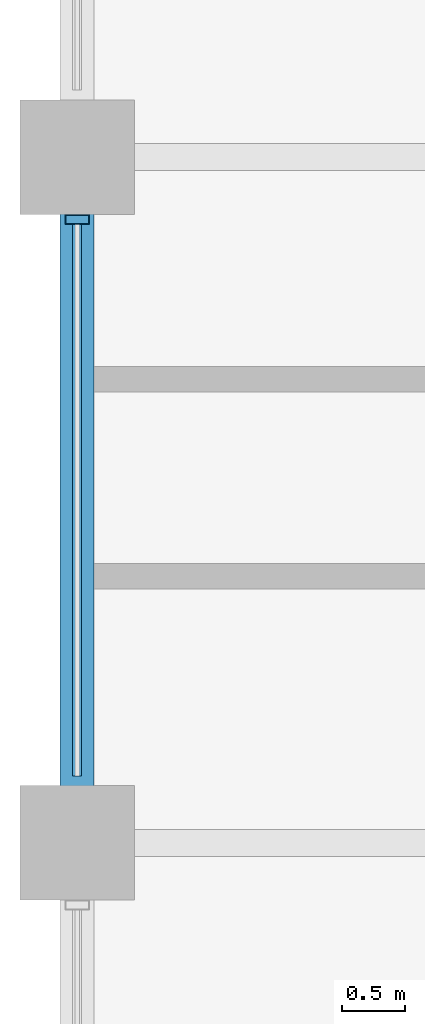
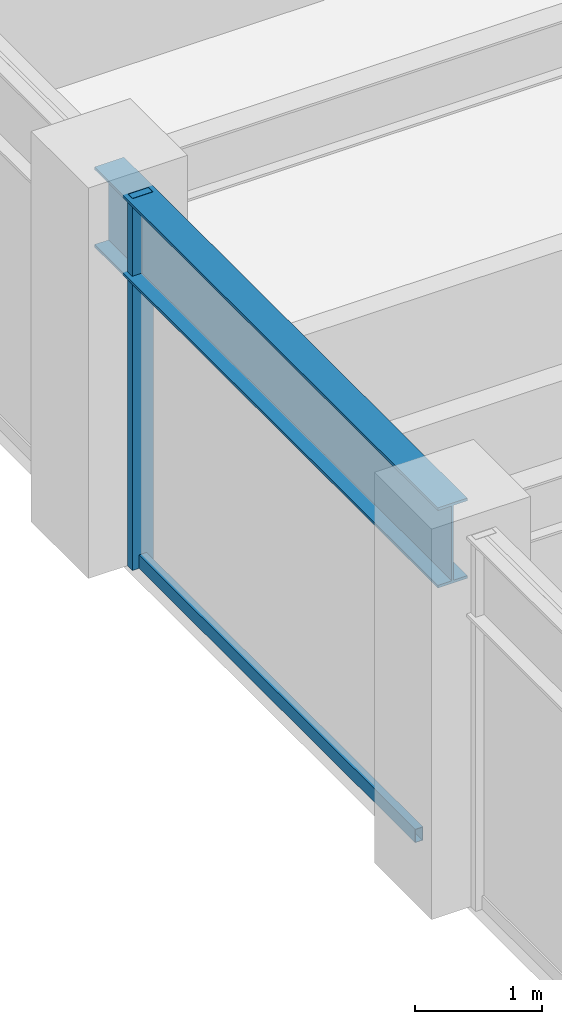
# One storey, part 8 of 32: 2 members, 1 beam, 1 element without a shape of its own.
"""IFC4 building model written with IfcOpenShell, lengths in metres."""

import ifcopenshell
import ifcopenshell.guid

model = None  # the IFC model being written
_history = None  # IfcOwnerHistory: only IFC2X3 demands one
_inside = {}  # id of a spatial element -> (the spatial element, [elements in it])
_under = {}  # id of a project, library or spatial element -> (it, [spatial elements below it])
_declared = {}  # id of a project -> (the project, [libraries it declares])
_typed = {}  # id of a type object -> (the type object, [elements of that type])
_made_of = {}  # id of a material, layer set ... -> (it, [elements and type objects made of it])


def new_model(schema):
    """Start an empty IFC model of exactly this schema.

    Asked for "IFC4X3", IfcOpenShell would pick the latest addendum, in which some entities
    have other attributes; the version numbers below select the first issue.
    IFC2X3 requires an IfcOwnerHistory on every rooted entity: one is made here for all.
    """
    global model, _history
    if schema == "IFC4X3":
        model = ifcopenshell.file(schema_version=(4, 3, 0, 0))
    else:
        model = ifcopenshell.file(schema=schema)
    _inside.clear()
    _under.clear()
    _declared.clear()
    _typed.clear()
    _made_of.clear()
    _history = None
    if model.schema == "IFC2X3":
        org = make("IfcOrganization", Name="unknown")
        user = make(
            "IfcPersonAndOrganization",
            ThePerson=make("IfcPerson", FamilyName="unknown"),
            TheOrganization=org,
        )
        app = make(
            "IfcApplication",
            ApplicationDeveloper=org,
            Version="unknown",
            ApplicationFullName="unknown",
            ApplicationIdentifier="unknown",
        )
        _history = make(
            "IfcOwnerHistory",
            OwningUser=user,
            OwningApplication=app,
            ChangeAction="ADDED",
            CreationDate=0,
        )
    return model


def make(cls, **values):
    """One entity of the class cls with the attributes given. An attribute that is None is left unset."""
    return model.create_entity(
        cls, **{name: value for name, value in values.items() if value is not None}
    )


def rooted(cls, **values):
    """An entity with a GlobalId (a new one), such as an element, a storey or a relation."""
    return make(cls, GlobalId=ifcopenshell.guid.new(), OwnerHistory=_history, **values)


def si_unit(unit_type, name, prefix=None):
    """IfcSIUnit, for example si_unit("LENGTHUNIT", "METRE", prefix="MILLI")."""
    return make("IfcSIUnit", UnitType=unit_type, Prefix=prefix, Name=name)


def assignment(units):
    """IfcUnitAssignment: the units of a project."""
    return None if units is None else make("IfcUnitAssignment", Units=units)


def point(xyz):
    """IfcCartesianPoint."""
    return None if xyz is None else make("IfcCartesianPoint", Coordinates=xyz)


def direction(xyz):
    """IfcDirection."""
    return None if xyz is None else make("IfcDirection", DirectionRatios=xyz)


def frame(location, z_axis=None, x_axis=None):
    """IfcAxis2Placement3D, a coordinate frame: its origin and axes. An axis left out is left unset."""
    return make(
        "IfcAxis2Placement3D",
        Location=point(location),
        Axis=direction(z_axis),
        RefDirection=direction(x_axis),
    )


def frame_2d(location, x_axis=None):
    """IfcAxis2Placement2D, a coordinate frame in the plane: its origin and x axis."""
    return make(
        "IfcAxis2Placement2D", Location=point(location), RefDirection=direction(x_axis)
    )


def origin():
    """The frame at (0, 0, 0) with its axes left unset."""
    return frame((0.0, 0.0, 0.0))


def origin_2d():
    """The frame at (0, 0) in the plane with its x axis left unset."""
    return frame_2d((0.0, 0.0))


def place(relative_to, where):
    """IfcLocalPlacement: puts the frame where relative to a parent placement (None: the world)."""
    return make(
        "IfcLocalPlacement", PlacementRelTo=relative_to, RelativePlacement=where
    )


def context(
    kind, dimensions, precision=None, world=None, true_north=None, identifier=None
):
    """IfcGeometricRepresentationContext, for example the 3D "Model" context."""
    return make(
        "IfcGeometricRepresentationContext",
        ContextIdentifier=identifier,
        ContextType=kind,
        CoordinateSpaceDimension=dimensions,
        Precision=precision,
        WorldCoordinateSystem=world,
        TrueNorth=true_north,
    )


def subcontext(parent, identifier, kind, view, scale=None):
    """IfcGeometricRepresentationSubContext, for example "Body" below "Model"."""
    return make(
        "IfcGeometricRepresentationSubContext",
        ContextIdentifier=identifier,
        ContextType=kind,
        ParentContext=parent,
        TargetScale=scale,
        TargetView=view,
    )


def project(units=None, contexts=None):
    """IfcProject with its units and contexts."""
    return rooted(
        "IfcProject",
        Name="project",
        RepresentationContexts=contexts,
        UnitsInContext=assignment(units),
    )


def spatial(cls, under=None, at=None, **own):
    """A site, building, storey or space (cls), placed at a placement, below another one or the project."""
    s = rooted(cls, ObjectPlacement=at, **own)
    if under is not None:
        _under.setdefault(under.id(), (under, []))[1].append(s)
    return s


def profile(cls, at=None, kind="AREA", **sizes):
    """A parametric profile (cls). Its sizes go by their IFC names, for example OverallWidth=200.0."""
    return make(cls, ProfileType=kind, Position=at, **sizes)


def hollow_rectangle(**sizes):
    """IfcRectangleHollowProfileDef."""
    return profile("IfcRectangleHollowProfileDef", **sizes)


def i_section(**sizes):
    """IfcIShapeProfileDef."""
    return profile("IfcIShapeProfileDef", **sizes)


def extrude(swept, where, along, depth):
    """IfcExtrudedAreaSolid: the profile swept, set in the frame where, extruded along a direction by depth."""
    return make(
        "IfcExtrudedAreaSolid",
        SweptArea=swept,
        Position=where,
        ExtrudedDirection=direction(along),
        Depth=depth,
    )


def shape(context_of_items, identifier, shape_type, items):
    """IfcShapeRepresentation: the items that make up one representation, for example the "Body"."""
    return make(
        "IfcShapeRepresentation",
        ContextOfItems=context_of_items,
        RepresentationIdentifier=identifier,
        RepresentationType=shape_type,
        Items=items,
    )


def material(Name=None, Category=None):
    """IfcMaterial."""
    return make("IfcMaterial", Name=Name, Category=Category)


def layer(
    of_material, thickness, ventilated=None, Name=None, Category=None, Priority=None
):
    """IfcMaterialLayer: one layer of a wall or slab, of a material (None: an air gap)."""
    return make(
        "IfcMaterialLayer",
        Material=of_material,
        LayerThickness=thickness,
        IsVentilated=ventilated,
        Name=Name,
        Category=Category,
        Priority=Priority,
    )


def layer_set(layers, Name=None):
    """IfcMaterialLayerSet."""
    return make("IfcMaterialLayerSet", MaterialLayers=layers, LayerSetName=Name)


def material_profile(
    of_material, cross_section, Name=None, Category=None, Priority=None
):
    """IfcMaterialProfile: a cross section and its material."""
    return make(
        "IfcMaterialProfile",
        Name=Name,
        Material=of_material,
        Profile=cross_section,
        Priority=Priority,
        Category=Category,
    )


def profile_set(profiles, Name=None, composite=None):
    """IfcMaterialProfileSet."""
    return make(
        "IfcMaterialProfileSet",
        Name=Name,
        MaterialProfiles=profiles,
        CompositeProfile=composite,
    )


def made_of(thing, what):
    """Note that an element or type object is made of a material, layer set ...; save() writes the relation."""
    if what is not None:
        _made_of.setdefault(what.id(), (what, []))[1].append(thing)
    return thing


def type_object(cls, material=None, **own):
    """A type object (cls), such as IfcWallType, which elements share."""
    return made_of(rooted(cls, **own), material)


def element(
    cls,
    number,
    at=None,
    inside=None,
    cuts=None,
    type_object=None,
    material=None,
    context=None,
    identifier="Body",
    shape_type=None,
    held_by="IfcProductDefinitionShape",
    body=None,
    shapes=None,
    **own,
):
    """One element of the class cls, such as IfcWall. Its Tag is "e" and its number.

    at: its placement. inside: the storey or other place that contains it. cuts: it is an
    opening in that element (IfcRelVoidsElement). A single representation is given by context,
    identifier, shape_type and body (its items); several are given by shapes. held_by: the class
    of the entity that holds the representations. save() writes the other relations.
    """
    e = rooted(cls, Tag="e%d" % number, ObjectPlacement=at, **own)
    if body is not None:
        shapes = [shape(context, identifier, shape_type, body)]
    if shapes is not None:
        e.Representation = make(held_by, Representations=shapes)
    if inside is not None:
        _inside.setdefault(inside.id(), (inside, []))[1].append(e)
    if cuts is not None:
        rooted(
            "IfcRelVoidsElement", RelatingBuildingElement=cuts, RelatedOpeningElement=e
        )
    if type_object is not None:
        _typed.setdefault(type_object.id(), (type_object, []))[1].append(e)
    return made_of(e, material)


def aggregate(whole, parts):
    """IfcRelAggregates: a whole, such as a stair, and the parts it consists of."""
    return rooted("IfcRelAggregates", RelatingObject=whole, RelatedObjects=parts)


def save(model, path):
    """Write the relations noted so far, then the file.

    IfcRelAggregates (storeys below a building ...), IfcRelContainedInSpatialStructure (elements
    in a storey), IfcRelDefinesByType, IfcRelAssociatesMaterial and IfcRelDeclares: one each for
    every whole, place, type object, material and project.
    """
    for whole, parts in _under.values():
        aggregate(whole, parts)
    for where, things in _inside.values():
        rooted(
            "IfcRelContainedInSpatialStructure",
            RelatedElements=things,
            RelatingStructure=where,
        )
    for kind, things in _typed.values():
        rooted("IfcRelDefinesByType", RelatedObjects=things, RelatingType=kind)
    for what, things in _made_of.values():
        rooted("IfcRelAssociatesMaterial", RelatedObjects=things, RelatingMaterial=what)
    for by, libraries in _declared.values():
        rooted("IfcRelDeclares", RelatingContext=by, RelatedDefinitions=libraries)
    model.write(path)


model = new_model("IFC4")

# Units and contexts
model_context = context("Model", 3, precision=1e-05, world=origin(), true_north=direction((0.0, 1.0)))
body_context = subcontext(model_context, "Body", "Model", "MODEL_VIEW")
ifc_project = project(units=[si_unit("LENGTHUNIT", "METRE"), si_unit("AREAUNIT", "SQUARE_METRE"), si_unit("VOLUMEUNIT", "CUBIC_METRE"), si_unit("PLANEANGLEUNIT", "RADIAN"), si_unit("MASSUNIT", "GRAM", prefix="KILO")], contexts=[model_context])

# Site, building, storey
site_placement = place(None, origin())
site = spatial("IfcSite", under=ifc_project, at=site_placement, CompositionType="ELEMENT")
building_placement = place(site_placement, origin())
building = spatial("IfcBuilding", under=site, at=building_placement, Name="Surkhivell Harbour Commons", CompositionType="ELEMENT")
storey_placement = place(building_placement, frame((0.0, 0.0, 212.25)))
storey = spatial("IfcBuildingStorey", under=building, at=storey_placement, Name="L55", CompositionType="ELEMENT", Elevation=212.25)

# Beam
ifc_material_1 = material(Name="Steel S355", Category="steel")
ifc_material_profile_1 = material_profile(ifc_material_1, i_section(OverallWidth=0.26806640625, OverallDepth=0.77001953125, WebThickness=0.015625, FlangeThickness=0.025390625, at=origin_2d()), Name="UB762x267x197")
ifc_profile_set_1 = profile_set([ifc_material_profile_1], Name="Steel S355")
beam_type = type_object("IfcBeamType", Name="BM-SPN-762", PredefinedType="SPANDREL", material=ifc_profile_set_1)
beam_placement = place(storey_placement, frame((-27.0, -5.39990234375, 3.18505859375), z_axis=(0.0, 1.0, 0.0), x_axis=(-1.0, 0.0, 0.0)))
element("IfcBeam", 1, at=beam_placement, inside=storey, type_object=beam_type, Name="L55 Tube Spandrel (-27.0,-5.4)", PredefinedType="SPANDREL", context=body_context, shape_type="SweptSolid", body=[
    extrude(i_section(OverallWidth=0.26806640625, OverallDepth=0.77001953125, WebThickness=0.015625, FlangeThickness=0.025390625, at=origin_2d()), origin(), (0.0, 0.0, 1.0), 5.39990234375),
])

# Curtain wall, members
ifc_material_2 = material(Name="Anodised pale-metal aluminium and insulated glazing", Category="aluminium")
ifc_layer = layer(ifc_material_2, 0.18994140625)
ifc_layer_set = layer_set([ifc_layer], Name="Anodised pale-metal aluminium and insulated glazing")
curtain_wall_type = type_object("IfcCurtainWallType", Name="CW-SYS-Z3", PredefinedType="NOTDEFINED", material=ifc_layer_set)
curtain_wall_placement = place(storey_placement, origin())
curtain_wall = element("IfcCurtainWall", 2, at=curtain_wall_placement, inside=storey, type_object=curtain_wall_type, Name="L55 Curtain Wall CW-L55-E12S1", PredefinedType="NOTDEFINED")
ifc_material_3 = material(Name="Anodised pale-metal aluminium alloy 6063-T6", Category="aluminium")
ifc_material_profile_2 = material_profile(ifc_material_3, hollow_rectangle(XDim=0.074951171875, YDim=0.18994140625, WallThickness=0.00390625, at=origin_2d()), Name="ALU-MULL-75x190")
ifc_profile_set_2 = profile_set([ifc_material_profile_2], Name="Anodised pale-metal aluminium alloy 6063-T6")
member_type_1 = type_object("IfcMemberType", Name="CWM-190", PredefinedType="MULLION", material=ifc_profile_set_2)
member_1_placement = place(storey_placement, frame((-27.0, -0.489501953125, 0.0), z_axis=(0.0, 0.0, 1.0), x_axis=(0.0, -1.0, 0.0)))
member_1 = element("IfcMember", 3, at=member_1_placement, type_object=member_type_1, Name="CW-Z3 mullion 5", PredefinedType="MULLION", context=body_context, shape_type="SweptSolid", body=[
    extrude(hollow_rectangle(XDim=0.074951171875, YDim=0.18994140625, WallThickness=0.00390625, at=origin_2d()), origin(), (0.0, 0.0, 1.0), 3.570068359375),
])
ifc_material_4 = material(Name="Champagne anodised aluminium alloy 6063-T6", Category="aluminium")
ifc_material_profile_3 = material_profile(ifc_material_4, hollow_rectangle(XDim=0.070068359375, YDim=0.1298828125, WallThickness=0.00341796875, at=origin_2d()), Name="ALU-TRAN-70x130")
ifc_profile_set_3 = profile_set([ifc_material_profile_3], Name="Champagne anodised aluminium alloy 6063-T6")
member_type_2 = type_object("IfcMemberType", Name="CWT-130", PredefinedType="USERDEFINED", material=ifc_profile_set_3)
member_2_placement = place(storey_placement, frame((-27.0, -0.527099609375, 0.06494140625), z_axis=(0.0, -1.0, 0.0), x_axis=(1.0, 0.0, 0.0)))
member_2 = element("IfcMember", 4, at=member_2_placement, type_object=member_type_2, Name="CW-Z3 transom 5.1", ObjectType="TRANSOM", PredefinedType="USERDEFINED", context=body_context, shape_type="SweptSolid", body=[
    extrude(hollow_rectangle(XDim=0.070068359375, YDim=0.1298828125, WallThickness=0.00341796875, at=origin_2d()), origin(), (0.0, 0.0, 1.0), 4.345947265625),
])
aggregate(curtain_wall, [member_1, member_2])

save(model, "model.ifc")
